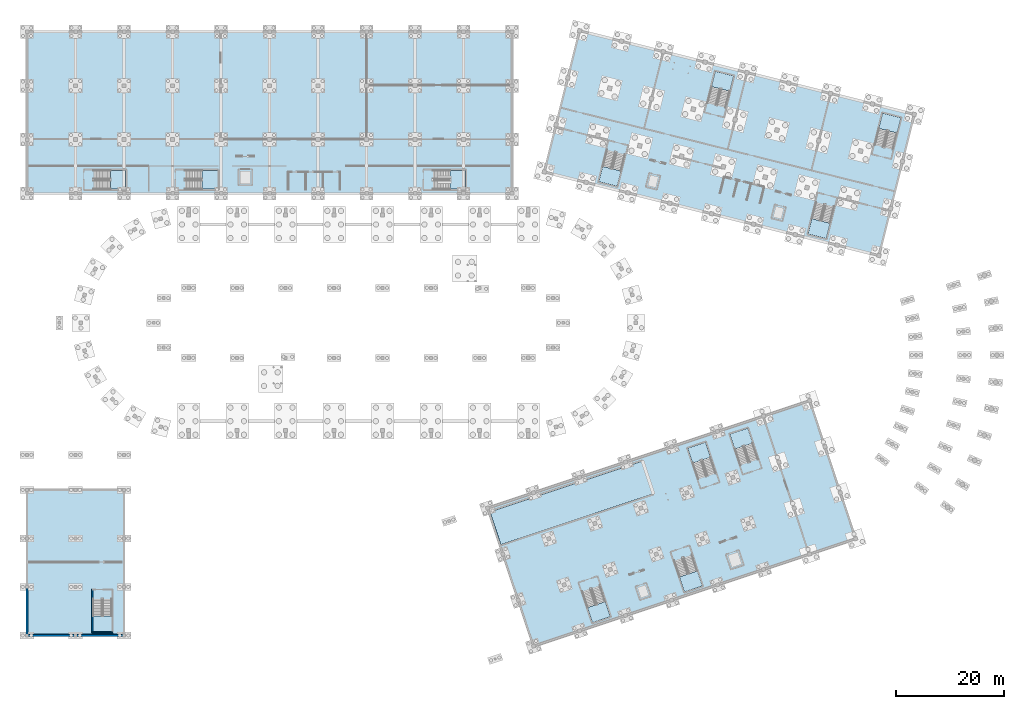
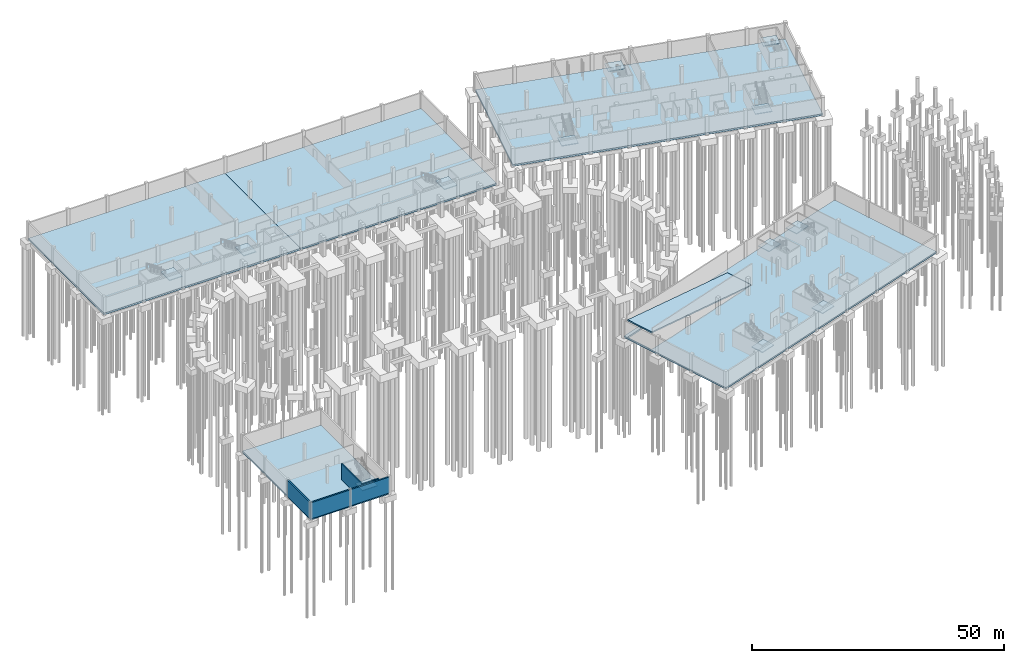
# One storey, part 18 of 36: 18 slabs, 5 walls, 12 elements without a shape of their own.
"""IFC4 building model written with IfcOpenShell, lengths in metres."""

from ifc_helpers import new_model, si_unit, derived_unit, direction, frame, frame_2d, origin, place, context, subcontext, project, spatial, polyline, rectangle, outline, extrude, material, layer, layer_set, type_object, element, aggregate, save


model = new_model("IFC4")

# Units and contexts
model_context = context("Model", 3, precision=1e-05, world=origin(), true_north=direction((0.0, 1.0)))
body_context = subcontext(model_context, "Body", "Model", "MODEL_VIEW")
ifc_project = project(units=[si_unit("LENGTHUNIT", "METRE"), si_unit("AREAUNIT", "SQUARE_METRE"), si_unit("VOLUMEUNIT", "CUBIC_METRE"), si_unit("PLANEANGLEUNIT", "RADIAN"), si_unit("MASSUNIT", "GRAM", prefix="KILO"), si_unit("THERMODYNAMICTEMPERATUREUNIT", "KELVIN"), si_unit("TIMEUNIT", "SECOND"), derived_unit("THERMALTRANSMITTANCEUNIT", [(si_unit("MASSUNIT", "GRAM", prefix="KILO"), 1), (si_unit("THERMODYNAMICTEMPERATUREUNIT", "KELVIN"), -1), (si_unit("TIMEUNIT", "SECOND"), -3)])], contexts=[model_context])

# Site, building, storey
site_placement = place(None, origin())
site = spatial("IfcSite", under=ifc_project, at=site_placement, CompositionType="ELEMENT")
building_placement = place(site_placement, origin())
building = spatial("IfcBuilding", under=site, at=building_placement, Name="Cambertide Market Hall", CompositionType="ELEMENT")
storey_placement = place(building_placement, frame((0.0, 0.0, -4.199951171875)))
storey = spatial("IfcBuildingStorey", under=building, at=storey_placement, Name="B1", CompositionType="ELEMENT", Elevation=-4.199951171875)

# Slab
ifc_material_1 = material(Name="Concrete B35", Category="concrete")
ifc_layer_1 = layer(ifc_material_1, 0.43994140625, Name="Cold-Chain Insulated Base Slab 440")
ifc_layer_set_1 = layer_set([ifc_layer_1], Name="Concrete B35")
slab_type_1 = type_object("IfcSlabType", Name="Cold-Chain Insulated Base Slab 440", PredefinedType="BASESLAB", material=ifc_layer_set_1)
slab_1_placement = place(storey_placement, frame((0.0, 0.0, -0.43994140625)))
element("IfcSlab", 1, at=slab_1_placement, inside=storey, type_object=slab_type_1, Name="Basement 1 Slab SLB-B1-V2A", PredefinedType="BASESLAB", context=body_context, shape_type="SweptSolid", body=[
    extrude(outline(polyline([(12.0, 96.0), (57.0, 96.0), (57.0, 126.0), (12.0, 126.0), (12.0, 96.0)])), origin(), (0.0, 0.0, 1.0), 0.43994140625),
])

# Stair, slab
ifc_material_2 = material(Name="Concrete B35", Category="concrete")
stair_type_1 = type_object("IfcStairType", Name="Concrete Dogleg Stair ST-03", PredefinedType="HALF_TURN_STAIR", material=ifc_material_2)
stair_1_placement = place(storey_placement, origin())
stair_1 = element("IfcStair", 2, at=stair_1_placement, inside=storey, type_object=stair_type_1, Name="Basement 1 Exit Stair Core 03", PredefinedType="HALF_TURN_STAIR")
ifc_material_3 = material(Name="Concrete B35", Category="concrete")
ifc_layer_2 = layer(ifc_material_3, 0.199951171875, Name="Concrete Stair Half-Landing 200")
ifc_layer_set_2 = layer_set([ifc_layer_2], Name="Concrete B35")
slab_type_2 = type_object("IfcSlabType", Name="Concrete Stair Half-Landing 200", PredefinedType="LANDING", material=ifc_layer_set_2)
slab_2_placement = place(storey_placement, frame((0.0, 0.0, 1.89990234375)))
slab_2 = element("IfcSlab", 3, at=slab_2_placement, type_object=slab_type_2, Name="ST-03 landing 1", PredefinedType="LANDING", context=body_context, shape_type="SweptSolid", body=[
    extrude(outline(polyline([(27.486083984375, 96.800048828125), (30.39990234375, 96.800048828125), (30.39990234375, 100.300048828125), (27.486083984375, 100.300048828125), (27.486083984375, 96.800048828125)])), origin(), (0.0, 0.0, 1.0), 0.199951171875),
])
aggregate(stair_1, [slab_2])

ifc_material_4 = material(Name="Concrete B35", Category="concrete")
stair_type_2 = type_object("IfcStairType", Name="Concrete Dogleg Stair ST-03B", PredefinedType="HALF_TURN_STAIR", material=ifc_material_4)
stair_2_placement = place(storey_placement, origin())
stair_2 = element("IfcStair", 4, at=stair_2_placement, inside=storey, type_object=stair_type_2, Name="Basement 1 Exit Stair Core 03B", PredefinedType="HALF_TURN_STAIR")
slab_3_placement = place(storey_placement, frame((0.0, 0.0, 1.89990234375)))
slab_3 = element("IfcSlab", 5, at=slab_3_placement, type_object=slab_type_2, Name="ST-03B landing 1", PredefinedType="LANDING", context=body_context, shape_type="SweptSolid", body=[
    extrude(outline(polyline([(44.486083984375, 96.800048828125), (47.39990234375, 96.800048828125), (47.39990234375, 100.300048828125), (44.486083984375, 100.300048828125), (44.486083984375, 96.800048828125)])), origin(), (0.0, 0.0, 1.0), 0.199951171875),
])
aggregate(stair_2, [slab_3])

ifc_material_5 = material(Name="Concrete B35", Category="concrete")
stair_type_3 = type_object("IfcStairType", Name="Concrete Dogleg Stair ST-04", PredefinedType="HALF_TURN_STAIR", material=ifc_material_5)
stair_3_placement = place(storey_placement, origin())
stair_3 = element("IfcStair", 6, at=stair_3_placement, inside=storey, type_object=stair_type_3, Name="Basement 1 Exit Stair Core 04", PredefinedType="HALF_TURN_STAIR")
slab_4_placement = place(storey_placement, frame((0.0, 0.0, 1.89990234375)))
slab_4 = element("IfcSlab", 7, at=slab_4_placement, type_object=slab_type_2, Name="ST-04 landing 1", PredefinedType="LANDING", context=body_context, shape_type="SweptSolid", body=[
    extrude(outline(polyline([(90.486083984375, 96.800048828125), (93.39990234375, 96.800048828125), (93.39990234375, 100.300048828125), (90.486083984375, 100.300048828125), (90.486083984375, 96.800048828125)])), origin(), (0.0, 0.0, 1.0), 0.199951171875),
])
aggregate(stair_3, [slab_4])

ifc_material_6 = material(Name="Concrete B35", Category="concrete")
stair_type_4 = type_object("IfcStairType", Name="Concrete Dogleg Stair ST-04B", PredefinedType="HALF_TURN_STAIR", material=ifc_material_6)
stair_4_placement = place(storey_placement, origin())
stair_4 = element("IfcStair", 8, at=stair_4_placement, inside=storey, type_object=stair_type_4, Name="Basement 1 Southwest Specialty Wing Exit Stair", PredefinedType="HALF_TURN_STAIR")
slab_5_placement = place(storey_placement, frame((0.0, 0.0, 1.89990234375)))
slab_5 = element("IfcSlab", 9, at=slab_5_placement, type_object=slab_type_2, Name="ST-04B landing 1", PredefinedType="LANDING", context=body_context, shape_type="SweptSolid", body=[
    extrude(outline(polyline([(24.25, 17.56396484375), (24.25, 14.64990234375), (27.75, 14.64990234375), (27.75, 17.56396484375), (24.25, 17.56396484375)])), origin(), (0.0, 0.0, 1.0), 0.199951171875),
])
aggregate(stair_4, [slab_5])

ifc_material_7 = material(Name="Concrete B35", Category="concrete")
stair_type_5 = type_object("IfcStairType", Name="Concrete Dogleg Stair ST-05A", PredefinedType="HALF_TURN_STAIR", material=ifc_material_7)
stair_5_placement = place(storey_placement, origin())
stair_5 = element("IfcStair", 10, at=stair_5_placement, inside=storey, type_object=stair_type_5, Name="Basement 1 Exit Stair Core 05A", PredefinedType="HALF_TURN_STAIR")
slab_6_placement = place(storey_placement, frame((0.0, 0.0, 1.89990234375)))
slab_6 = element("IfcSlab", 11, at=slab_6_placement, type_object=slab_type_2, Name="ST-05A landing 1", PredefinedType="LANDING", context=body_context, shape_type="SweptSolid", body=[
    extrude(outline(polyline([(116.004150390625, 19.144287109375), (116.92578125, 16.379638671875), (120.24609375, 17.486572265625), (119.324462890625, 20.2509765625), (116.004150390625, 19.144287109375)])), origin(), (0.0, 0.0, 1.0), 0.199951171875),
])
aggregate(stair_5, [slab_6])

ifc_material_8 = material(Name="Concrete B35", Category="concrete")
stair_type_6 = type_object("IfcStairType", Name="Concrete Dogleg Stair ST-05B", PredefinedType="HALF_TURN_STAIR", material=ifc_material_8)
stair_6_placement = place(storey_placement, origin())
stair_6 = element("IfcStair", 12, at=stair_6_placement, inside=storey, type_object=stair_type_6, Name="Basement 1 Exit Stair Core 05B", PredefinedType="HALF_TURN_STAIR")
slab_7_placement = place(storey_placement, frame((0.0, 0.0, 1.89990234375)))
slab_7 = element("IfcSlab", 13, at=slab_7_placement, type_object=slab_type_2, Name="ST-05B landing 1", PredefinedType="LANDING", context=body_context, shape_type="SweptSolid", body=[
    extrude(outline(polyline([(146.67138671875, 49.68115234375), (145.749755859375, 52.445556640625), (142.429443359375, 51.338623046875), (143.350830078125, 48.57421875), (146.67138671875, 49.68115234375)])), origin(), (0.0, 0.0, 1.0), 0.199951171875),
])
aggregate(stair_6, [slab_7])

ifc_material_9 = material(Name="Concrete B35", Category="concrete")
stair_type_7 = type_object("IfcStairType", Name="Concrete Dogleg Stair ST-06A", PredefinedType="HALF_TURN_STAIR", material=ifc_material_9)
stair_7_placement = place(storey_placement, origin())
stair_7 = element("IfcStair", 14, at=stair_7_placement, inside=storey, type_object=stair_type_7, Name="Basement 1 Exit Stair Core 06A", PredefinedType="HALF_TURN_STAIR")
slab_8_placement = place(storey_placement, frame((0.0, 0.0, 1.89990234375)))
slab_8 = element("IfcSlab", 15, at=slab_8_placement, type_object=slab_type_2, Name="ST-06A landing 1", PredefinedType="LANDING", context=body_context, shape_type="SweptSolid", body=[
    extrude(outline(polyline([(133.08056640625, 24.83642578125), (134.001953125, 22.07177734375), (137.322265625, 23.1787109375), (136.40087890625, 25.943115234375), (133.08056640625, 24.83642578125)])), origin(), (0.0, 0.0, 1.0), 0.199951171875),
])
aggregate(stair_7, [slab_8])

ifc_material_10 = material(Name="Concrete B35", Category="concrete")
stair_type_8 = type_object("IfcStairType", Name="Concrete Dogleg Stair ST-06B", PredefinedType="HALF_TURN_STAIR", material=ifc_material_10)
stair_8_placement = place(storey_placement, origin())
stair_8 = element("IfcStair", 16, at=stair_8_placement, inside=storey, type_object=stair_type_8, Name="Basement 1 Exit Stair Core 06B", PredefinedType="HALF_TURN_STAIR")
slab_9_placement = place(storey_placement, frame((0.0, 0.0, 1.89990234375)))
slab_9 = element("IfcSlab", 17, at=slab_9_placement, type_object=slab_type_2, Name="ST-06B landing 1", PredefinedType="LANDING", context=body_context, shape_type="SweptSolid", body=[
    extrude(outline(polyline([(138.8447265625, 47.072265625), (137.923095703125, 49.836669921875), (134.602783203125, 48.729736328125), (135.524169921875, 45.96533203125), (138.8447265625, 47.072265625)])), origin(), (0.0, 0.0, 1.0), 0.199951171875),
])
aggregate(stair_8, [slab_9])

ifc_material_11 = material(Name="Concrete B35", Category="concrete")
stair_type_9 = type_object("IfcStairType", Name="Concrete Dogleg Stair ST-07A", PredefinedType="HALF_TURN_STAIR", material=ifc_material_11)
stair_9_placement = place(storey_placement, origin())
stair_9 = element("IfcStair", 18, at=stair_9_placement, inside=storey, type_object=stair_type_9, Name="Basement 1 Exit Stair Core 07A", PredefinedType="HALF_TURN_STAIR")
slab_10_placement = place(storey_placement, frame((0.0, 0.0, 1.89990234375)))
slab_10 = element("IfcSlab", 19, at=slab_10_placement, type_object=slab_type_2, Name="ST-07A landing 1", PredefinedType="LANDING", context=body_context, shape_type="SweptSolid", body=[
    extrude(outline(polyline([(118.820556640625, 101.02001953125), (118.11376953125, 98.193115234375), (121.50927734375, 97.34423828125), (122.216064453125, 100.171142578125), (118.820556640625, 101.02001953125)])), origin(), (0.0, 0.0, 1.0), 0.199951171875),
])
aggregate(stair_9, [slab_10])

ifc_material_12 = material(Name="Concrete B35", Category="concrete")
stair_type_10 = type_object("IfcStairType", Name="Concrete Dogleg Stair ST-07B", PredefinedType="HALF_TURN_STAIR", material=ifc_material_12)
stair_10_placement = place(storey_placement, origin())
stair_10 = element("IfcStair", 20, at=stair_10_placement, inside=storey, type_object=stair_type_10, Name="Basement 1 Exit Stair Core 07B", PredefinedType="HALF_TURN_STAIR")
slab_11_placement = place(storey_placement, frame((0.0, 0.0, 1.89990234375)))
slab_11 = element("IfcSlab", 21, at=slab_11_placement, type_object=slab_type_2, Name="ST-07B landing 1", PredefinedType="LANDING", context=body_context, shape_type="SweptSolid", body=[
    extrude(outline(polyline([(142.412353515625, 114.9873046875), (143.119140625, 117.814208984375), (139.7236328125, 118.6630859375), (139.016845703125, 115.836181640625), (142.412353515625, 114.9873046875)])), origin(), (0.0, 0.0, 1.0), 0.199951171875),
])
aggregate(stair_10, [slab_11])

ifc_material_13 = material(Name="Concrete B35", Category="concrete")
stair_type_11 = type_object("IfcStairType", Name="Concrete Dogleg Stair ST-08A", PredefinedType="HALF_TURN_STAIR", material=ifc_material_13)
stair_11_placement = place(storey_placement, origin())
stair_11 = element("IfcStair", 22, at=stair_11_placement, inside=storey, type_object=stair_type_11, Name="Basement 1 Exit Stair Core 08A", PredefinedType="HALF_TURN_STAIR")
slab_12_placement = place(storey_placement, frame((0.0, 0.0, 1.89990234375)))
slab_12 = element("IfcSlab", 23, at=slab_12_placement, type_object=slab_type_2, Name="ST-08A landing 1", PredefinedType="LANDING", context=body_context, shape_type="SweptSolid", body=[
    extrude(outline(polyline([(157.626220703125, 91.318603515625), (156.91943359375, 88.49169921875), (160.31494140625, 87.642822265625), (161.021728515625, 90.4697265625), (157.626220703125, 91.318603515625)])), origin(), (0.0, 0.0, 1.0), 0.199951171875),
])
aggregate(stair_11, [slab_12])

ifc_material_14 = material(Name="Concrete B35", Category="concrete")
stair_type_12 = type_object("IfcStairType", Name="Concrete Dogleg Stair ST-08B", PredefinedType="HALF_TURN_STAIR", material=ifc_material_14)
stair_12_placement = place(storey_placement, origin())
stair_12 = element("IfcStair", 24, at=stair_12_placement, inside=storey, type_object=stair_type_12, Name="Basement 1 Exit Stair Core 08B", PredefinedType="HALF_TURN_STAIR")
slab_13_placement = place(storey_placement, frame((0.0, 0.0, 1.89990234375)))
slab_13 = element("IfcSlab", 25, at=slab_13_placement, type_object=slab_type_2, Name="ST-08B landing 1", PredefinedType="LANDING", context=body_context, shape_type="SweptSolid", body=[
    extrude(outline(polyline([(173.45703125, 107.22607421875), (174.163818359375, 110.05322265625), (170.768310546875, 110.90185546875), (170.0615234375, 108.074951171875), (173.45703125, 107.22607421875)])), origin(), (0.0, 0.0, 1.0), 0.199951171875),
])
aggregate(stair_12, [slab_13])

# Slabs
ifc_material_15 = material(Name="Concrete B35", Category="concrete")
ifc_layer_3 = layer(ifc_material_15, 0.385009765625, Name="Garage Mat Base Slab 385")
ifc_layer_set_3 = layer_set([ifc_layer_3], Name="Concrete B35")
slab_type_3 = type_object("IfcSlabType", Name="Garage Mat Base Slab 385", PredefinedType="BASESLAB", material=ifc_layer_set_3)
slab_14_placement = place(storey_placement, frame((0.0, 0.0, -0.385009765625)))
element("IfcSlab", 26, at=slab_14_placement, inside=storey, type_object=slab_type_3, Name="Basement 1 Slab SLB-B1-V3", PredefinedType="BASESLAB", context=body_context, shape_type="SweptSolid", body=[
    extrude(outline(polyline([(106.0, 12.0), (165.76708984375, 31.92236328125), (157.22900390625, 57.536865234375), (97.4619140625, 37.614501953125), (106.0, 12.0)]), holes=[polyline([(97.904541015625, 36.918701171875), (126.17529296875, 46.34228515625), (128.19921875, 40.270751953125), (99.928466796875, 30.84716796875), (97.904541015625, 36.918701171875)])]), origin(), (0.0, 0.0, 1.0), 0.385009765625),
])
ifc_material_16 = material(Name="Concrete B35", Category="concrete")
ifc_layer_4 = layer(ifc_material_16, 0.4599609375, Name="Generator & Cistern Heavy Base Slab 460")
ifc_layer_set_4 = layer_set([ifc_layer_4], Name="Concrete B35")
slab_type_4 = type_object("IfcSlabType", Name="Generator & Cistern Heavy Base Slab 460", PredefinedType="BASESLAB", material=ifc_layer_set_4)
slab_15_placement = place(storey_placement, frame((0.0, 0.0, -0.4599609375)))
element("IfcSlab", 27, at=slab_15_placement, inside=storey, type_object=slab_type_4, Name="Basement 1 Slab SLB-B1-V4", PredefinedType="BASESLAB", context=body_context, shape_type="SweptSolid", body=[
    extrude(outline(polyline([(108.0, 100.0), (170.089111328125, 84.477783203125), (176.6376953125, 110.671630859375), (114.548583984375, 126.19384765625), (108.0, 100.0)])), origin(), (0.0, 0.0, 1.0), 0.4599609375),
])
ifc_material_17 = material(Name="Concrete B35", Category="concrete")
ifc_layer_5 = layer(ifc_material_17, 0.39990234375, Name="Lower-Ground Mat Base Slab 400")
ifc_layer_set_5 = layer_set([ifc_layer_5], Name="Concrete B35")
slab_type_5 = type_object("IfcSlabType", Name="Lower-Ground Mat Base Slab 400", PredefinedType="BASESLAB", material=ifc_layer_set_5)
slab_16_placement = place(storey_placement, frame((0.0, 0.0, -0.400146484375)))
element("IfcSlab", 28, at=slab_16_placement, inside=storey, type_object=slab_type_5, Name="Basement 1 Slab SLB-B1-V2B", PredefinedType="BASESLAB", context=body_context, shape_type="SweptSolid", body=[
    extrude(outline(polyline([(57.0, 96.0), (102.0, 96.0), (102.0, 126.0), (57.0, 126.0), (57.0, 96.0)])), origin(), (0.0, 0.0, 1.0), 0.400146484375),
])
slab_17_placement = place(storey_placement, frame((0.0, 0.0, -0.400146484375)))
element("IfcSlab", 29, at=slab_17_placement, inside=storey, type_object=slab_type_5, Name="Basement 1 Slab SLB-B1-V2SW", PredefinedType="BASESLAB", context=body_context, shape_type="SweptSolid", body=[
    extrude(outline(polyline([(12.0, 14.0), (30.0, 14.0), (30.0, 41.0), (12.0, 41.0), (12.0, 14.0)])), origin(), (0.0, 0.0, 1.0), 0.400146484375),
])
ifc_material_18 = material(Name="Concrete B35", Category="concrete")
ifc_layer_6 = layer(ifc_material_18, 0.300048828125, Name="Two-Way Basement Vehicle Ramp Structural Slab 300")
ifc_layer_set_6 = layer_set([ifc_layer_6], Name="Concrete B35")
slab_type_6 = type_object("IfcSlabType", Name="Two-Way Basement Vehicle Ramp Structural Slab 300", PredefinedType="FLOOR", material=ifc_layer_set_6)
slab_18_placement = place(storey_placement, frame((99.93310546875, 30.848876953125, 4.199951171875), z_axis=(0.132441867879, 0.044143738906, 0.990207292413), x_axis=(0.939393119925, 0.313131039975, -0.139604863958)))
element("IfcSlab", 30, at=slab_18_placement, inside=storey, type_object=slab_type_6, Name="Basement 1 Two-Way Car Park Vehicle Ramp Slab VR-01", PredefinedType="FLOOR", context=body_context, shape_type="SweptSolid", body=[
    extrude(outline(polyline([(0.0, 0.0), (30.08456190417131, 3.072476490893414e-16), (30.084714800186923, 6.3999064677442625), (0.0001528960156127468, 6.399906467744262), (0.0, 0.0)])), origin(), (0.0, 0.0, -1.0), 0.300048828125),
])

# Walls
ifc_material_19 = material(Name="Concrete B35", Category="concrete")
ifc_layer_7 = layer(ifc_material_19, 0.35009765625, Name="Basement Retaining Wall 350")
ifc_layer_set_7 = layer_set([ifc_layer_7], Name="Concrete B35")
wall_type_1 = type_object("IfcWallType", Name="Basement Retaining Wall 350", PredefinedType="SOLIDWALL", material=ifc_layer_set_7)
for number, where, z_axis, x_axis, name in (
    (31, (21.0, 14.0, 0.0), (0.0, 0.0, 1.0), (-1.0, 0.0, 0.0), "Basement 1 Exterior Wall EW-B1-SWS-1"),
    (32, (30.0, 14.0, 0.0), (0.0, 0.0, 1.0), (-1.0, 0.0, 0.0), "Basement 1 Exterior Wall EW-B1-SWS-2"),
    (33, (12.0, 14.0, 0.0), (0.0, 0.0, 1.0), (0.0, 1.0, 0.0), "Basement 1 Exterior Wall EW-B1-SWW-1"),
):
    element("IfcWall", number, at=place(storey_placement, frame(where, z_axis=z_axis, x_axis=x_axis)), inside=storey, type_object=wall_type_1, Name=name, PredefinedType="SOLIDWALL", context=body_context, shape_type="SweptSolid", body=[
        extrude(rectangle(XDim=9.0, YDim=0.35009765625, at=frame_2d((4.5, 0.0))), origin(), (0.0, 0.0, 1.0), 3.89990234375),
    ])
ifc_material_20 = material(Name="Concrete B35", Category="concrete")
ifc_layer_8 = layer(ifc_material_20, 0.239990234375, Name="Stair & Lift Core Shaft Wall 240")
ifc_layer_set_8 = layer_set([ifc_layer_8], Name="Concrete B35")
wall_type_2 = type_object("IfcWallType", Name="Stair & Lift Core Shaft Wall 240", PredefinedType="SOLIDWALL", material=ifc_layer_set_8)
wall_1_placement = place(storey_placement, frame((24.125, 14.52490234375, 0.0), z_axis=(0.0, 0.0, 1.0), x_axis=(0.0, 1.0, 0.0)))
element("IfcWall", 34, at=wall_1_placement, inside=storey, type_object=wall_type_2, Name="Basement 1 Interior Wall SHW-ST-04B-B1-L", PredefinedType="SOLIDWALL", context=body_context, shape_type="SweptSolid", body=[
    extrude(rectangle(XDim=8.0, YDim=0.239990234375, at=frame_2d((4.0, 0.0))), origin(), (0.0, 0.0, 1.0), 3.89990234375),
])
wall_2_placement = place(storey_placement, frame((27.875, 14.52490234375, 0.0), z_axis=(0.0, 0.0, 1.0), x_axis=(-1.0, 0.0, 0.0)))
element("IfcWall", 35, at=wall_2_placement, inside=storey, type_object=wall_type_2, Name="Basement 1 Interior Wall SHW-ST-04B-B1-FAR", PredefinedType="SOLIDWALL", context=body_context, shape_type="SweptSolid", body=[
    extrude(rectangle(XDim=3.75, YDim=0.239990234375, at=frame_2d((1.875, 0.0))), origin(), (0.0, 0.0, 1.0), 3.89990234375),
])

save(model, "model.ifc")
